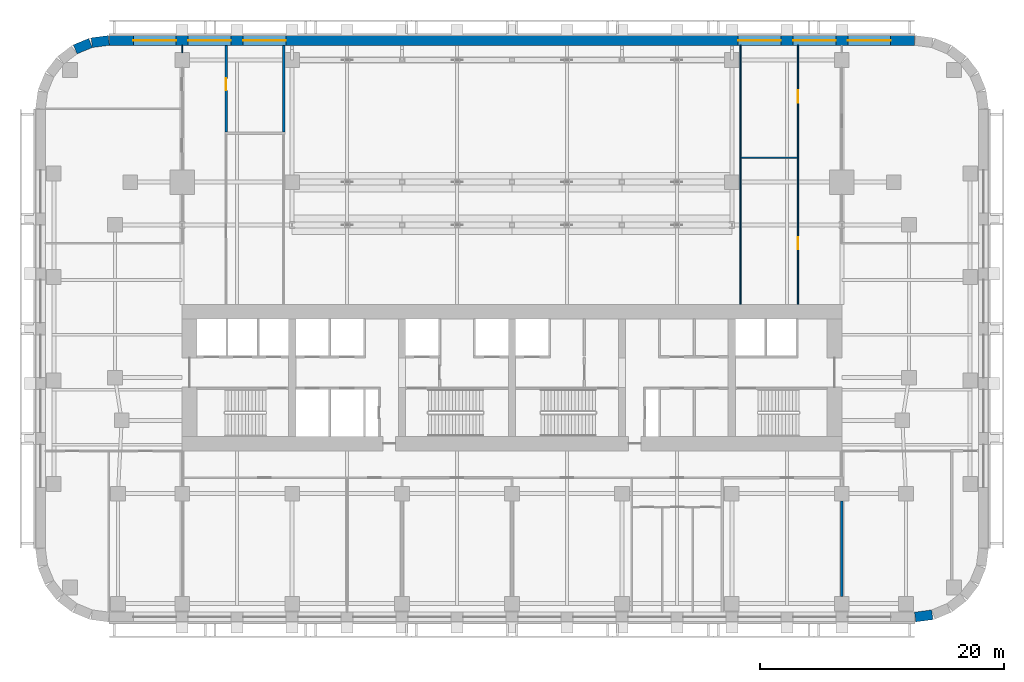
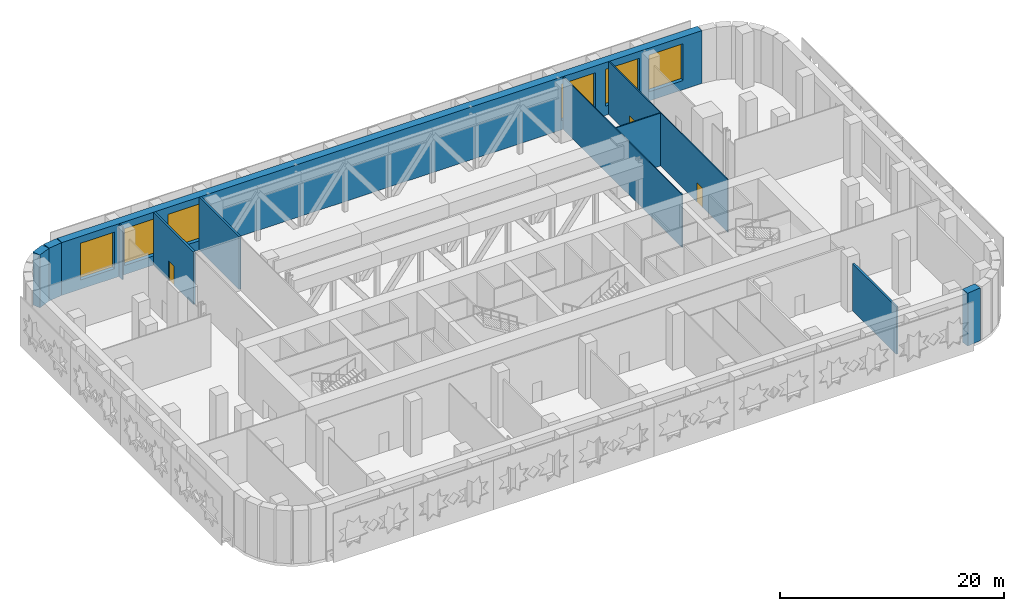
# One storey, part 8 of 15: 11 walls, 6 windows, 3 doors, 9 openings.
"""IFC4 building model written with IfcOpenShell, lengths in metres."""

from ifc_helpers import new_model, si_unit, direction, frame, frame_2d, origin, place, context, subcontext, project, spatial, rectangle, extrude, material, layer, layer_set, type_object, element, fill, save


model = new_model("IFC4")

# Units and contexts
model_context = context("Model", 3, precision=1e-05, world=origin(), true_north=direction((0.0, 1.0)))
body_context = subcontext(model_context, "Body", "Model", "MODEL_VIEW")
ifc_project = project(units=[si_unit("LENGTHUNIT", "METRE"), si_unit("AREAUNIT", "SQUARE_METRE"), si_unit("VOLUMEUNIT", "CUBIC_METRE"), si_unit("PLANEANGLEUNIT", "RADIAN"), si_unit("MASSUNIT", "GRAM", prefix="KILO")], contexts=[model_context])

# Site, building, storey
site_placement = place(None, origin())
site = spatial("IfcSite", under=ifc_project, at=site_placement, CompositionType="ELEMENT")
building_placement = place(site_placement, origin())
building = spatial("IfcBuilding", under=site, at=building_placement, Name="Zellij Exchange Tower", CompositionType="ELEMENT")
storey_placement = place(building_placement, frame((0.0, 0.0, 33.0)))
storey = spatial("IfcBuildingStorey", under=building, at=storey_placement, Name="L05", CompositionType="ELEMENT", Elevation=33.0)

# Wall
ifc_material_1 = material(Name="Precast concrete C40/50", Category="concrete")
ifc_layer_1 = layer(ifc_material_1, 0.800048828125)
ifc_layer_set_1 = layer_set([ifc_layer_1], Name="Precast concrete C40/50")
wall_type_1 = type_object("IfcWallType", Name="ENV-EW1 Precast stone-piered wall 800", PredefinedType="SOLIDWALL", material=ifc_layer_set_1)
wall_1_placement = place(storey_placement, frame((32.999755859375, -27.5966796875, 0.0), z_axis=(0.0, 0.0, 1.0), x_axis=(0.99144603414, 0.130517283865, 0.0)))
element("IfcWall", 1, at=wall_1_placement, inside=storey, type_object=wall_type_1, Name="fac.L05.01", PredefinedType="SOLIDWALL", context=body_context, shape_type="SweptSolid", body=[
    extrude(rectangle(XDim=1.408447265625, YDim=0.800048828125, at=frame_2d((0.7041015625, 0.0))), origin(), (0.0, 0.0, 1.0), 5.75),
])

# Wall, openings, windows
wall_2_placement = place(storey_placement, frame((32.947509765625, 19.60009765625, 0.0), z_axis=(0.0, 0.0, 1.0), x_axis=(-1.0, 0.0, 0.0)))
wall_2 = element("IfcWall", 2, at=wall_2_placement, inside=storey, type_object=wall_type_1, Name="fac.L05.14", PredefinedType="SOLIDWALL", context=body_context, shape_type="SweptSolid", body=[
    extrude(rectangle(XDim=65.89501953125, YDim=0.800048828125, at=frame_2d((32.947509765625, 0.0))), origin(), (0.0, 0.0, 1.0), 5.75),
])
opening_1_placement = place(wall_2_placement, frame((1.947509765625, 0.0, 1.0)))
opening_1 = element("IfcOpeningElement", 3, at=opening_1_placement, cuts=wall_2, Name="Opening FP.21", PredefinedType="OPENING", context=body_context, shape_type="SweptSolid", body=[
    extrude(rectangle(XDim=3.5, YDim=4.0, at=frame_2d((1.75, 2.0))), frame((0.0, 0.412109375, 0.0), z_axis=(0.0, -1.0, 0.0), x_axis=(1.0, 0.0, 0.0)), (0.0, 0.0, 1.0), 0.823974609375),
])
opening_2_placement = place(wall_2_placement, frame((6.447509765625, 0.0, 1.0)))
opening_2 = element("IfcOpeningElement", 4, at=opening_2_placement, cuts=wall_2, Name="Opening FP.22", PredefinedType="OPENING", context=body_context, shape_type="SweptSolid", body=[
    extrude(rectangle(XDim=3.5, YDim=4.0, at=frame_2d((1.75, 2.0))), frame((0.0, 0.412109375, 0.0), z_axis=(0.0, -1.0, 0.0), x_axis=(1.0, 0.0, 0.0)), (0.0, 0.0, 1.0), 0.823974609375),
])
opening_3_placement = place(wall_2_placement, frame((10.947509765625, 0.0, 1.0)))
opening_3 = element("IfcOpeningElement", 5, at=opening_3_placement, cuts=wall_2, Name="Opening FP.23", PredefinedType="OPENING", context=body_context, shape_type="SweptSolid", body=[
    extrude(rectangle(XDim=3.5, YDim=4.0, at=frame_2d((1.75, 2.0))), frame((0.0, 0.412109375, 0.0), z_axis=(0.0, -1.0, 0.0), x_axis=(1.0, 0.0, 0.0)), (0.0, 0.0, 1.0), 0.823974609375),
])
opening_4_placement = place(wall_2_placement, frame((51.447509765625, 0.0, 1.0)))
opening_4 = element("IfcOpeningElement", 6, at=opening_4_placement, cuts=wall_2, Name="Opening FP.24", PredefinedType="OPENING", context=body_context, shape_type="SweptSolid", body=[
    extrude(rectangle(XDim=3.5, YDim=4.0, at=frame_2d((1.75, 2.0))), frame((0.0, 0.412109375, 0.0), z_axis=(0.0, -1.0, 0.0), x_axis=(1.0, 0.0, 0.0)), (0.0, 0.0, 1.0), 0.823974609375),
])
opening_5_placement = place(wall_2_placement, frame((55.947509765625, 0.0, 1.0)))
opening_5 = element("IfcOpeningElement", 7, at=opening_5_placement, cuts=wall_2, Name="Opening FP.25", PredefinedType="OPENING", context=body_context, shape_type="SweptSolid", body=[
    extrude(rectangle(XDim=3.5, YDim=4.0, at=frame_2d((1.75, 2.0))), frame((0.0, 0.412109375, 0.0), z_axis=(0.0, -1.0, 0.0), x_axis=(1.0, 0.0, 0.0)), (0.0, 0.0, 1.0), 0.823974609375),
])
opening_6_placement = place(wall_2_placement, frame((60.447509765625, 0.0, 1.0)))
opening_6 = element("IfcOpeningElement", 8, at=opening_6_placement, cuts=wall_2, Name="Opening FP.26", PredefinedType="OPENING", context=body_context, shape_type="SweptSolid", body=[
    extrude(rectangle(XDim=3.5, YDim=4.0, at=frame_2d((1.75, 2.0))), frame((0.0, 0.412109375, 0.0), z_axis=(0.0, -1.0, 0.0), x_axis=(1.0, 0.0, 0.0)), (0.0, 0.0, 1.0), 0.823974609375),
])
ifc_material_2 = material(Name="Aluminium frame with insulating glass", Category="aluminium")
window_type = type_object("IfcWindowType", Name="ENV-W2 Window 3500x4000", PartitioningType="SINGLE_PANEL", PredefinedType="WINDOW", material=ifc_material_2)
window_1_placement = place(opening_1_placement, origin())
window_1 = element("IfcWindow", 9, at=window_1_placement, inside=storey, type_object=window_type, Name="Window FP.21", OverallHeight=4.0, OverallWidth=3.5, PartitioningType="SINGLE_PANEL", PredefinedType="WINDOW", context=body_context, shape_type="SweptSolid", body=[
    extrude(rectangle(XDim=3.5, YDim=4.0, at=frame_2d((1.75, 2.0))), frame((0.0, 0.030029296875, 0.0), z_axis=(0.0, -1.0, 0.0), x_axis=(1.0, 0.0, 0.0)), (0.0, 0.0, 1.0), 0.06005859375),
])
fill(opening_1, window_1)
window_2_placement = place(opening_2_placement, origin())
window_2 = element("IfcWindow", 10, at=window_2_placement, inside=storey, type_object=window_type, Name="Window FP.22", OverallHeight=4.0, OverallWidth=3.5, PartitioningType="SINGLE_PANEL", PredefinedType="WINDOW", context=body_context, shape_type="SweptSolid", body=[
    extrude(rectangle(XDim=3.5, YDim=4.0, at=frame_2d((1.75, 2.0))), frame((0.0, 0.030029296875, 0.0), z_axis=(0.0, -1.0, 0.0), x_axis=(1.0, 0.0, 0.0)), (0.0, 0.0, 1.0), 0.06005859375),
])
fill(opening_2, window_2)
window_3_placement = place(opening_3_placement, origin())
window_3 = element("IfcWindow", 11, at=window_3_placement, inside=storey, type_object=window_type, Name="Window FP.23", OverallHeight=4.0, OverallWidth=3.5, PartitioningType="SINGLE_PANEL", PredefinedType="WINDOW", context=body_context, shape_type="SweptSolid", body=[
    extrude(rectangle(XDim=3.5, YDim=4.0, at=frame_2d((1.75, 2.0))), frame((0.0, 0.030029296875, 0.0), z_axis=(0.0, -1.0, 0.0), x_axis=(1.0, 0.0, 0.0)), (0.0, 0.0, 1.0), 0.06005859375),
])
fill(opening_3, window_3)
window_4_placement = place(opening_4_placement, origin())
window_4 = element("IfcWindow", 12, at=window_4_placement, inside=storey, type_object=window_type, Name="Window FP.24", OverallHeight=4.0, OverallWidth=3.5, PartitioningType="SINGLE_PANEL", PredefinedType="WINDOW", context=body_context, shape_type="SweptSolid", body=[
    extrude(rectangle(XDim=3.5, YDim=4.0, at=frame_2d((1.75, 2.0))), frame((0.0, 0.030029296875, 0.0), z_axis=(0.0, -1.0, 0.0), x_axis=(1.0, 0.0, 0.0)), (0.0, 0.0, 1.0), 0.06005859375),
])
fill(opening_4, window_4)
window_5_placement = place(opening_5_placement, origin())
window_5 = element("IfcWindow", 13, at=window_5_placement, inside=storey, type_object=window_type, Name="Window FP.25", OverallHeight=4.0, OverallWidth=3.5, PartitioningType="SINGLE_PANEL", PredefinedType="WINDOW", context=body_context, shape_type="SweptSolid", body=[
    extrude(rectangle(XDim=3.5, YDim=4.0, at=frame_2d((1.75, 2.0))), frame((0.0, 0.030029296875, 0.0), z_axis=(0.0, -1.0, 0.0), x_axis=(1.0, 0.0, 0.0)), (0.0, 0.0, 1.0), 0.06005859375),
])
fill(opening_5, window_5)
window_6_placement = place(opening_6_placement, origin())
window_6 = element("IfcWindow", 14, at=window_6_placement, inside=storey, type_object=window_type, Name="Window FP.26", OverallHeight=4.0, OverallWidth=3.5, PartitioningType="SINGLE_PANEL", PredefinedType="WINDOW", context=body_context, shape_type="SweptSolid", body=[
    extrude(rectangle(XDim=3.5, YDim=4.0, at=frame_2d((1.75, 2.0))), frame((0.0, 0.030029296875, 0.0), z_axis=(0.0, -1.0, 0.0), x_axis=(1.0, 0.0, 0.0)), (0.0, 0.0, 1.0), 0.06005859375),
])
fill(opening_6, window_6)

# Walls
wall_3_placement = place(storey_placement, frame((-32.999755859375, 19.5966796875, 0.0), z_axis=(0.0, 0.0, 1.0), x_axis=(-0.99144603414, -0.130517283865, 0.0)))
element("IfcWall", 15, at=wall_3_placement, inside=storey, type_object=wall_type_1, Name="fac.L05.15", PredefinedType="SOLIDWALL", context=body_context, shape_type="SweptSolid", body=[
    extrude(rectangle(XDim=1.408447265625, YDim=0.800048828125, at=frame_2d((0.7041015625, 0.0))), origin(), (0.0, 0.0, 1.0), 5.75),
])
wall_4_placement = place(storey_placement, frame((-34.497314453125, 19.3857421875, 0.0), z_axis=(0.0, 0.0, 1.0), x_axis=(-0.923847774587, -0.38276009378, 0.0)))
element("IfcWall", 16, at=wall_4_placement, inside=storey, type_object=wall_type_1, Name="fac.L05.16", PredefinedType="SOLIDWALL", context=body_context, shape_type="SweptSolid", body=[
    extrude(rectangle(XDim=1.35546875, YDim=0.800048828125, at=frame_2d((0.677734375, 0.0))), origin(), (0.0, 0.0, 1.0), 5.75),
])
ifc_material_3 = material(Name="Blockwork partition", Category="masonry")
ifc_layer_2 = layer(ifc_material_3, 0.199951171875)
ifc_layer_set_2 = layer_set([ifc_layer_2], Name="Blockwork partition")
wall_type_2 = type_object("IfcWallType", Name="FIT-BLOCKWORK-200", PredefinedType="PARTITIONING", material=ifc_layer_set_2)
wall_5_placement = place(storey_placement, frame((27.0, -25.89990234375, 0.0), z_axis=(0.0, 0.0, 1.0), x_axis=(0.0, 1.0, 0.0)))
element("IfcWall", 17, at=wall_5_placement, inside=storey, type_object=wall_type_2, Name="FIT-BLOCKWORK-200 013", PredefinedType="PARTITIONING", context=body_context, shape_type="SweptSolid", body=[
    extrude(rectangle(XDim=7.7998046875, YDim=0.199951171875, at=frame_2d((3.89990234375, 0.0))), origin(), (0.0, 0.0, 1.0), 5.137939453125),
])

# Wall, opening, door
wall_6_placement = place(storey_placement, frame((-23.39990234375, 12.10009765625, 0.0), z_axis=(0.0, 0.0, 1.0), x_axis=(0.0, 1.0, 0.0)))
wall_6 = element("IfcWall", 18, at=wall_6_placement, inside=storey, type_object=wall_type_2, Name="FIT-BLOCKWORK-200 042", PredefinedType="PARTITIONING", context=body_context, shape_type="SweptSolid", body=[
    extrude(rectangle(XDim=7.099853515625, YDim=0.199951171875, at=frame_2d((3.5498046875, 0.0))), origin(), (0.0, 0.0, 1.0), 5.75),
])
opening_7_placement = place(wall_6_placement, frame((3.39990234375, 0.0, 0.0)))
opening_7 = element("IfcOpeningElement", 19, at=opening_7_placement, cuts=wall_6, Name="Opening P5.20", PredefinedType="OPENING", context=body_context, shape_type="SweptSolid", body=[
    extrude(rectangle(XDim=1.0, YDim=2.10009765625, at=frame_2d((0.5, 1.050048828125))), frame((0.0, 0.11181640625, 0.0), z_axis=(0.0, -1.0, 0.0), x_axis=(1.0, 0.0, 0.0)), (0.0, 0.0, 1.0), 0.223876953125),
])
ifc_material_4 = material(Name="Timber door set", Category="wood")
door_type = type_object("IfcDoorType", Name="FIT-D2-WIDE-1000X2100", OperationType="SINGLE_SWING_LEFT", PredefinedType="DOOR", material=ifc_material_4)
door_1_placement = place(opening_7_placement, origin())
door_1 = element("IfcDoor", 20, at=door_1_placement, inside=storey, type_object=door_type, Name="Door P5.20", OperationType="SINGLE_SWING_LEFT", OverallHeight=2.10009765625, OverallWidth=1.0, PredefinedType="DOOR", context=body_context, shape_type="SweptSolid", body=[
    extrude(rectangle(XDim=1.0, YDim=2.10009765625, at=frame_2d((0.5, 1.050048828125))), frame((0.0, 0.02490234375, 0.0), z_axis=(0.0, -1.0, 0.0), x_axis=(1.0, 0.0, 0.0)), (0.0, 0.0, 1.0), 0.050048828125),
])
fill(opening_7, door_1)

# Walls
wall_7_placement = place(storey_placement, frame((-18.699951171875, 12.10009765625, 0.0), z_axis=(0.0, 0.0, 1.0), x_axis=(0.0, 1.0, 0.0)))
element("IfcWall", 21, at=wall_7_placement, inside=storey, type_object=wall_type_2, Name="FIT-BLOCKWORK-200 043", PredefinedType="PARTITIONING", context=body_context, shape_type="SweptSolid", body=[
    extrude(rectangle(XDim=7.099853515625, YDim=0.199951171875, at=frame_2d((3.5498046875, 0.0))), origin(), (0.0, 0.0, 1.0), 5.75),
])
ifc_material_5 = material(Name="Gypsum board partition on steel studs", Category="steel")
ifc_layer_3 = layer(ifc_material_5, 0.10009765625)
ifc_layer_set_3 = layer_set([ifc_layer_3], Name="Gypsum board partition on steel studs")
wall_type_3 = type_object("IfcWallType", Name="FIT-PARTITION-100", PredefinedType="PARTITIONING", material=ifc_layer_set_3)
wall_8_placement = place(storey_placement, frame((18.699951171875, -2.0, 0.0), z_axis=(0.0, 0.0, 1.0), x_axis=(0.0, 1.0, 0.0)))
element("IfcWall", 22, at=wall_8_placement, inside=storey, type_object=wall_type_3, Name="FIT-PARTITION-100 028", PredefinedType="PARTITIONING", context=body_context, shape_type="SweptSolid", body=[
    extrude(rectangle(XDim=21.199951171875, YDim=0.10009765625, at=frame_2d((10.60009765625, 0.0))), origin(), (0.0, 0.0, 1.0), 5.75),
])

# Wall, openings, doors
wall_9_placement = place(storey_placement, frame((23.39990234375, -2.0, 0.0), z_axis=(0.0, 0.0, 1.0), x_axis=(0.0, 1.0, 0.0)))
wall_9 = element("IfcWall", 23, at=wall_9_placement, inside=storey, type_object=wall_type_3, Name="FIT-PARTITION-100 029", PredefinedType="PARTITIONING", context=body_context, shape_type="SweptSolid", body=[
    extrude(rectangle(XDim=21.199951171875, YDim=0.10009765625, at=frame_2d((10.60009765625, 0.0))), origin(), (0.0, 0.0, 1.0), 5.75),
])
opening_8_placement = place(wall_9_placement, frame((4.5, 0.0, 0.0)))
opening_8 = element("IfcOpeningElement", 24, at=opening_8_placement, cuts=wall_9, Name="Opening P5.14", PredefinedType="OPENING", context=body_context, shape_type="SweptSolid", body=[
    extrude(rectangle(XDim=1.0, YDim=2.10009765625, at=frame_2d((0.5, 1.050048828125))), frame((0.0, 0.06201171875, 0.0), z_axis=(0.0, -1.0, 0.0), x_axis=(1.0, 0.0, 0.0)), (0.0, 0.0, 1.0), 0.1240234375),
])
opening_9_placement = place(wall_9_placement, frame((16.5, 0.0, 0.0)))
opening_9 = element("IfcOpeningElement", 25, at=opening_9_placement, cuts=wall_9, Name="Opening P5.18", PredefinedType="OPENING", context=body_context, shape_type="SweptSolid", body=[
    extrude(rectangle(XDim=1.0, YDim=2.10009765625, at=frame_2d((0.5, 1.050048828125))), frame((0.0, 0.06201171875, 0.0), z_axis=(0.0, -1.0, 0.0), x_axis=(1.0, 0.0, 0.0)), (0.0, 0.0, 1.0), 0.1240234375),
])
door_2_placement = place(opening_8_placement, origin())
door_2 = element("IfcDoor", 26, at=door_2_placement, inside=storey, type_object=door_type, Name="Door P5.14", OperationType="SINGLE_SWING_LEFT", OverallHeight=2.10009765625, OverallWidth=1.0, PredefinedType="DOOR", context=body_context, shape_type="SweptSolid", body=[
    extrude(rectangle(XDim=1.0, YDim=2.10009765625, at=frame_2d((0.5, 1.050048828125))), frame((0.0, 0.02490234375, 0.0), z_axis=(0.0, -1.0, 0.0), x_axis=(1.0, 0.0, 0.0)), (0.0, 0.0, 1.0), 0.050048828125),
])
fill(opening_8, door_2)
door_3_placement = place(opening_9_placement, origin())
door_3 = element("IfcDoor", 27, at=door_3_placement, inside=storey, type_object=door_type, Name="Door P5.18", OperationType="SINGLE_SWING_RIGHT", OverallHeight=2.10009765625, OverallWidth=1.0, PredefinedType="DOOR", context=body_context, shape_type="SweptSolid", body=[
    extrude(rectangle(XDim=1.0, YDim=2.10009765625, at=frame_2d((0.5, 1.050048828125))), frame((0.0, 0.02490234375, 0.0), z_axis=(0.0, -1.0, 0.0), x_axis=(1.0, 0.0, 0.0)), (0.0, 0.0, 1.0), 0.050048828125),
])
fill(opening_9, door_3)

# Walls
wall_10_placement = place(storey_placement, frame((-27.0, 18.60009765625, 0.0), z_axis=(0.0, 0.0, 1.0), x_axis=(0.0, 1.0, 0.0)))
element("IfcWall", 28, at=wall_10_placement, inside=storey, type_object=wall_type_3, Name="FIT-PARTITION-100 034", PredefinedType="PARTITIONING", context=body_context, shape_type="SweptSolid", body=[
    extrude(rectangle(XDim=0.599853515625, YDim=0.10009765625, at=frame_2d((0.2998046875, 0.0))), origin(), (0.0, 0.0, 1.0), 5.75),
])
wall_11_placement = place(storey_placement, frame((18.75, 10.0, 0.0), z_axis=(0.0, 0.0, 1.0), x_axis=(1.0, 0.0, 0.0)))
element("IfcWall", 29, at=wall_11_placement, inside=storey, type_object=wall_type_3, Name="FIT-PARTITION-100 040", PredefinedType="PARTITIONING", context=body_context, shape_type="SweptSolid", body=[
    extrude(rectangle(XDim=4.60009765625, YDim=0.10009765625, at=frame_2d((2.300048828125, 0.0))), origin(), (0.0, 0.0, 1.0), 5.75),
])

save(model, "model.ifc")
